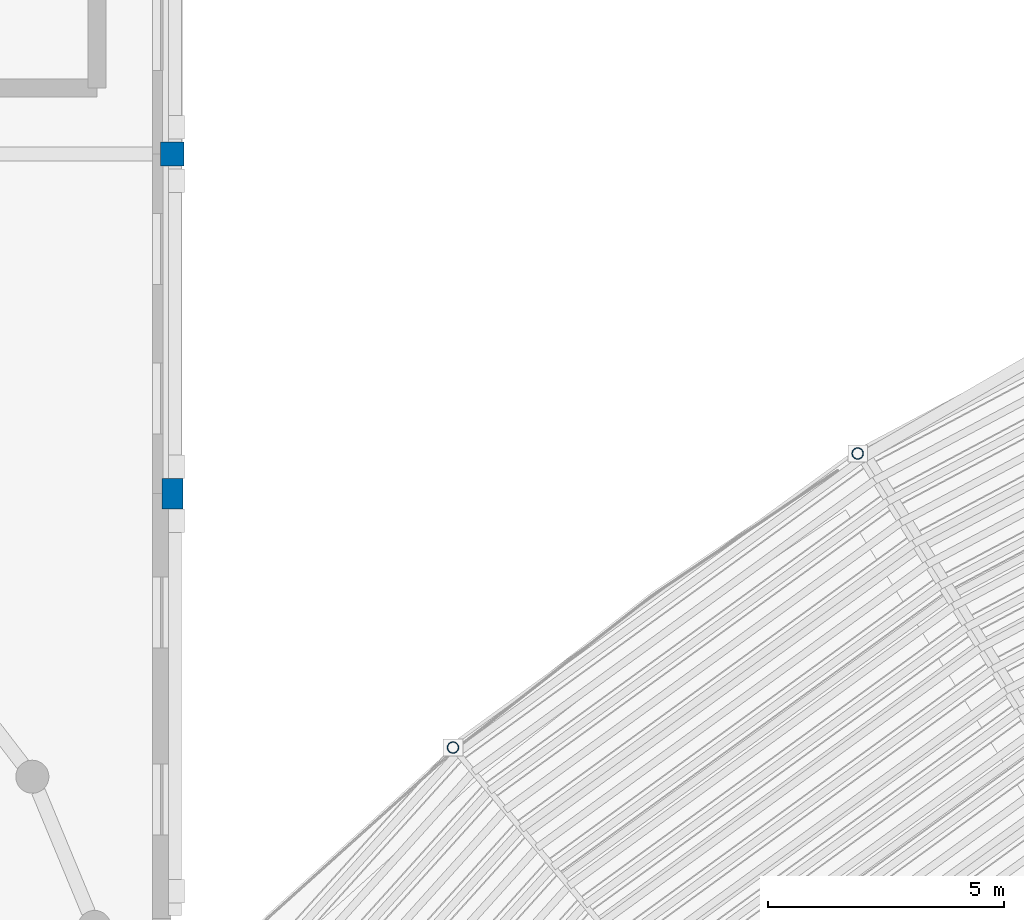
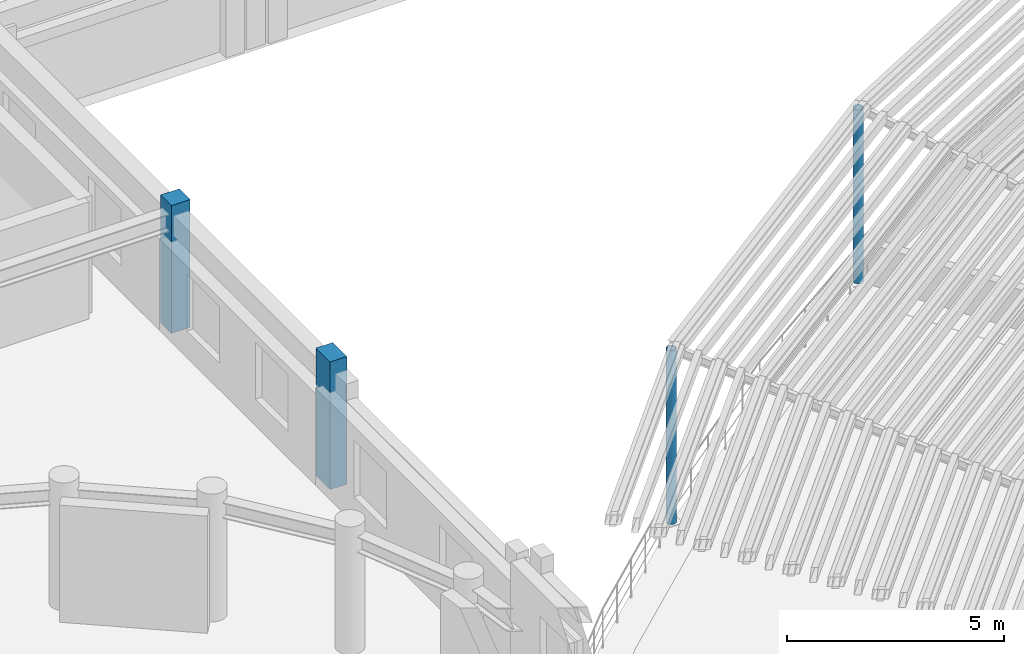
# One storey, part 10 of 74: 4 columns.
"""IFC4 building model written with IfcOpenShell, lengths in metres."""

from ifc_helpers import new_model, si_unit, direction, frame, origin, origin_2d, place, context, subcontext, project, spatial, rectangle, hollow_circle, extrude, material, material_profile, profile_set, type_object, element, save


model = new_model("IFC4")

# Units and contexts
model_context = context("Model", 3, precision=1e-05, world=origin(), true_north=direction((0.0, 1.0)))
body_context = subcontext(model_context, "Body", "Model", "MODEL_VIEW")
ifc_project = project(units=[si_unit("LENGTHUNIT", "METRE"), si_unit("AREAUNIT", "SQUARE_METRE"), si_unit("VOLUMEUNIT", "CUBIC_METRE"), si_unit("PLANEANGLEUNIT", "RADIAN"), si_unit("MASSUNIT", "GRAM", prefix="KILO")], contexts=[model_context])

# Site, building, storey
site_placement = place(None, origin())
site = spatial("IfcSite", under=ifc_project, at=site_placement, CompositionType="ELEMENT")
building_placement = place(site_placement, origin())
building = spatial("IfcBuilding", under=site, at=building_placement, Name="Clarverna Civic Hall", CompositionType="ELEMENT")
storey_placement = place(building_placement, frame((0.0, 0.0, 13.199951171875)))
storey = spatial("IfcBuildingStorey", under=building, at=storey_placement, Name="L03", CompositionType="ELEMENT", Elevation=13.199951171875)

# Columns
ifc_material_1 = material(Name="Concrete C35/45", Category="concrete")
ifc_material_profile_1 = material_profile(ifc_material_1, rectangle(XDim=0.5, YDim=0.5, at=origin_2d()), Name="RC 500x500")
ifc_profile_set_1 = profile_set([ifc_material_profile_1], Name="Concrete C35/45")
column_type_1 = type_object("IfcColumnType", Name="C-RC12", PredefinedType="COLUMN", material=ifc_profile_set_1)
column_1_placement = place(storey_placement, frame((97.199951171875, 78.800048828125, 0.0), z_axis=(0.0, 0.0, 1.0), x_axis=(1.0, 0.0, 0.0)))
element("IfcColumn", 1, at=column_1_placement, inside=storey, type_object=column_type_1, Name="C-RC12-019", PredefinedType="COLUMN", context=body_context, shape_type="SweptSolid", body=[
    extrude(rectangle(XDim=0.5, YDim=0.5, at=origin_2d()), origin(), (0.0, 0.0, 1.0), 3.60009765625),
])
ifc_material_profile_2 = material_profile(ifc_material_1, rectangle(XDim=0.449951171875, YDim=0.64990234375, at=origin_2d()), Name="RC 450x650")
ifc_profile_set_2 = profile_set([ifc_material_profile_2], Name="Concrete C35/45")
column_type_2 = type_object("IfcColumnType", Name="C-RC18", PredefinedType="COLUMN", material=ifc_profile_set_2)
column_2_placement = place(storey_placement, frame((97.199951171875, 71.60009765625, 0.0), z_axis=(0.0, 0.0, 1.0), x_axis=(1.0, 0.0, 0.0)))
element("IfcColumn", 2, at=column_2_placement, inside=storey, type_object=column_type_2, Name="C-RC18-019", PredefinedType="COLUMN", context=body_context, shape_type="SweptSolid", body=[
    extrude(rectangle(XDim=0.449951171875, YDim=0.64990234375, at=origin_2d()), origin(), (0.0, 0.0, 1.0), 3.60009765625),
])
ifc_material_2 = material(Name="Steel S355", Category="steel")
ifc_material_profile_3 = material_profile(ifc_material_2, hollow_circle(Radius=0.122314453125, WallThickness=0.012451171875, at=origin_2d()), Name="CHS 244.5x12.5")
ifc_profile_set_3 = profile_set([ifc_material_profile_3], Name="Steel S355")
column_type_3 = type_object("IfcColumnType", Name="C-ST15", PredefinedType="COLUMN", material=ifc_profile_set_3)
for number, where, z_axis, x_axis, name in (
    (3, (111.72607421875, 72.45166015625, 0.0), (0.0, 0.0, 1.0), (1.0, 0.0, 0.0), "C-ST15-004"),
    (4, (103.148193359375, 66.219482421875, 0.0), (0.0, 0.0, 1.0), (1.0, 0.0, 0.0), "C-ST15-005"),
):
    element("IfcColumn", number, at=place(storey_placement, frame(where, z_axis=z_axis, x_axis=x_axis)), inside=storey, type_object=column_type_3, Name=name, PredefinedType="COLUMN", context=body_context, shape_type="SweptSolid", body=[
        extrude(hollow_circle(Radius=0.122314453125, WallThickness=0.012451171875, at=origin_2d()), origin(), (0.0, 0.0, 1.0), 4.900146484375),
    ])

save(model, "model.ifc")
